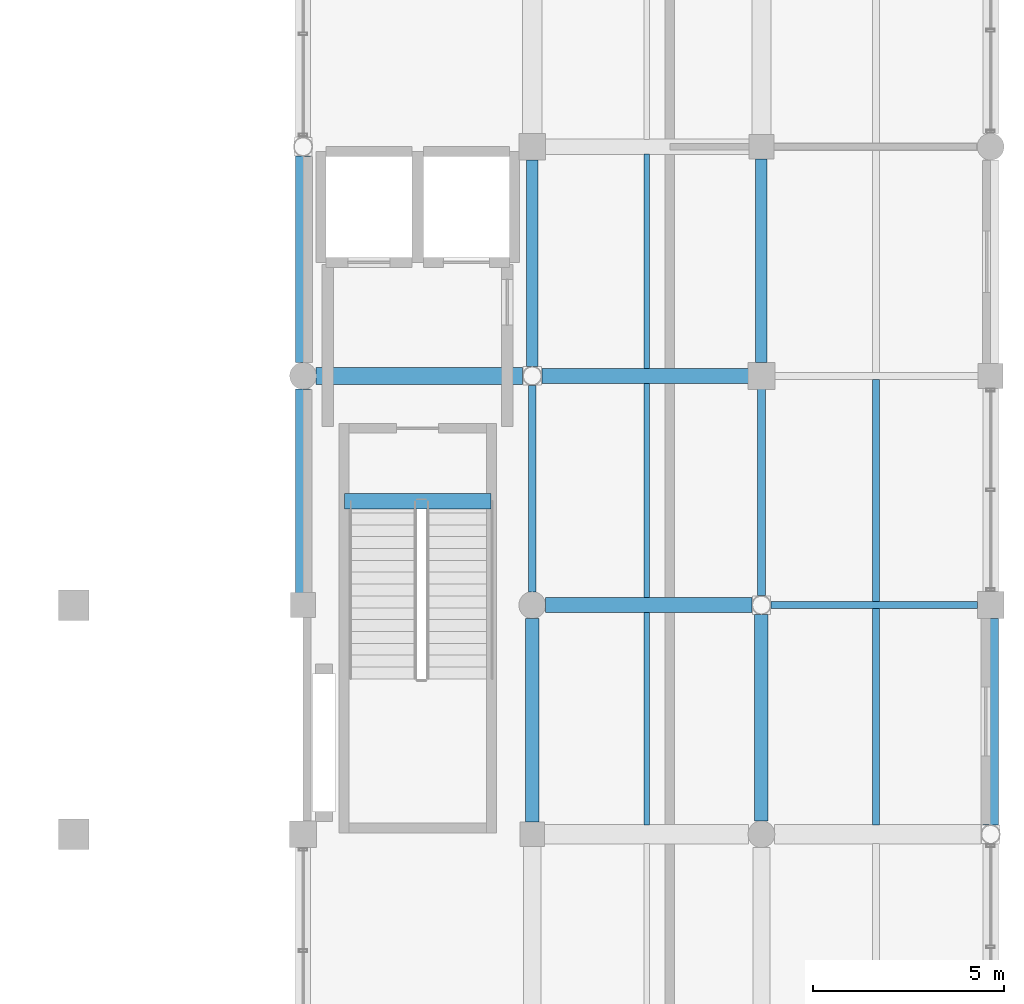
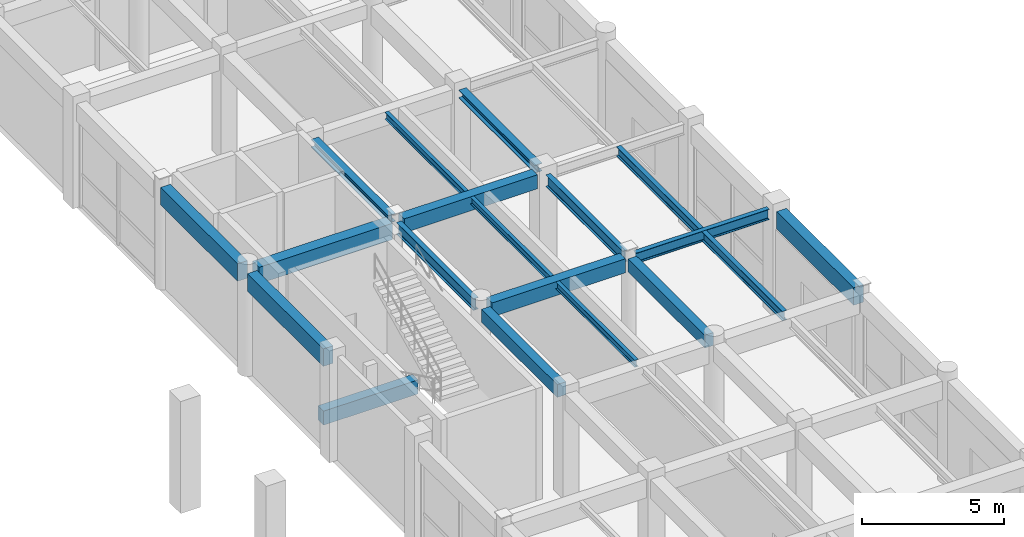
# One storey, part 75 of 123: 19 beams.
"""IFC4 building model written with IfcOpenShell, lengths in metres."""

from ifc_helpers import new_model, si_unit, direction, frame, origin, origin_2d, place, context, subcontext, project, spatial, rectangle, i_section, extrude, material, material_profile, profile_set, type_object, element, save


model = new_model("IFC4")

# Units and contexts
model_context = context("Model", 3, precision=1e-05, world=origin(), true_north=direction((0.0, 1.0)))
body_context = subcontext(model_context, "Body", "Model", "MODEL_VIEW")
ifc_project = project(units=[si_unit("LENGTHUNIT", "METRE"), si_unit("AREAUNIT", "SQUARE_METRE"), si_unit("VOLUMEUNIT", "CUBIC_METRE"), si_unit("PLANEANGLEUNIT", "RADIAN"), si_unit("MASSUNIT", "GRAM", prefix="KILO"), si_unit("THERMODYNAMICTEMPERATUREUNIT", "KELVIN"), si_unit("POWERUNIT", "WATT")], contexts=[model_context])

# Site, building, storey
site_placement = place(None, origin())
site = spatial("IfcSite", under=ifc_project, at=site_placement, CompositionType="ELEMENT")
building_placement = place(site_placement, origin())
building = spatial("IfcBuilding", under=site, at=building_placement, Name="Phaisarnlok Congress Hotel", CompositionType="ELEMENT")
storey_placement = place(building_placement, frame((0.0, 0.0, 15.0)))
storey = spatial("IfcBuildingStorey", under=building, at=storey_placement, Name="L03", CompositionType="ELEMENT", Elevation=15.0)

# Beams
ifc_material_1 = material(Name="Concrete C40/50", Category="concrete")
ifc_material_profile_1 = material_profile(ifc_material_1, rectangle(XDim=0.35009765625, YDim=0.550048828125, at=origin_2d()), Name="RC 350x550")
ifc_profile_set_1 = profile_set([ifc_material_profile_1], Name="Concrete C40/50")
beam_type_1 = type_object("IfcBeamType", Name="BM-RC-350x550", PredefinedType="BEAM", material=ifc_profile_set_1)
beam_1_placement = place(storey_placement, frame((168.0, 78.320068359375, 4.175048828125), z_axis=(0.0, 1.0, 0.0), x_axis=(-1.0, 0.0, 0.0)))
element("IfcBeam", 1, at=beam_1_placement, inside=storey, type_object=beam_type_1, Name="Beam B-01", PredefinedType="BEAM", context=body_context, shape_type="SweptSolid", body=[
    extrude(rectangle(XDim=0.35009765625, YDim=0.550048828125, at=origin_2d()), origin(), (0.0, 0.0, 1.0), 5.3349609375),
])
beam_2_placement = place(storey_placement, frame((174.0, 78.344970703125, 4.175048828125), z_axis=(0.0, 1.0, 0.0), x_axis=(-1.0, 0.0, 0.0)))
element("IfcBeam", 2, at=beam_2_placement, inside=storey, type_object=beam_type_1, Name="Beam B-01", PredefinedType="BEAM", context=body_context, shape_type="SweptSolid", body=[
    extrude(rectangle(XDim=0.35009765625, YDim=0.550048828125, at=origin_2d()), origin(), (0.0, 0.0, 1.0), 5.406005859375),
])
ifc_material_profile_2 = material_profile(ifc_material_1, rectangle(XDim=0.39990234375, YDim=0.60009765625, at=origin_2d()), Name="RC 400x600")
ifc_profile_set_2 = profile_set([ifc_material_profile_2], Name="Concrete C40/50")
beam_type_2 = type_object("IfcBeamType", Name="BM-RC-400x600", PredefinedType="BEAM", material=ifc_profile_set_2)
for number, where, z_axis, x_axis, name in (
    (3, (168.344970703125, 84.0, 4.14990234375), (1.0, 0.0, 0.0), (0.0, 1.0, 0.0), "Beam B-02"),
    (4, (168.2490234375, 90.0, 4.14990234375), (1.0, 0.0, 0.0), (0.0, 1.0, 0.0), "Beam B-02"),
):
    element("IfcBeam", number, at=place(storey_placement, frame(where, z_axis=z_axis, x_axis=x_axis)), inside=storey, type_object=beam_type_2, Name=name, PredefinedType="BEAM", context=body_context, shape_type="SweptSolid", body=[
        extrude(rectangle(XDim=0.39990234375, YDim=0.60009765625, at=origin_2d()), origin(), (0.0, 0.0, 1.0), 5.406005859375),
    ])
beam_3_placement = place(storey_placement, frame((163.080078125, 86.719970703125, -0.300048828125), z_axis=(1.0, 0.0, 0.0), x_axis=(0.0, 1.0, 0.0)))
element("IfcBeam", 5, at=beam_3_placement, inside=storey, type_object=beam_type_2, Name="Stair landing header beam B-02 (CORE-3 L03)", PredefinedType="BEAM", context=body_context, shape_type="SweptSolid", body=[
    extrude(rectangle(XDim=0.39990234375, YDim=0.60009765625, at=origin_2d()), origin(), (0.0, 0.0, 1.0), 3.83984375),
])
ifc_material_profile_3 = material_profile(ifc_material_1, rectangle(XDim=0.449951171875, YDim=0.699951171875, at=origin_2d()), Name="RC 450x700")
ifc_profile_set_3 = profile_set([ifc_material_profile_3], Name="Concrete C40/50")
beam_type_3 = type_object("IfcBeamType", Name="BM-RC-450x700", PredefinedType="BEAM", material=ifc_profile_set_3)
beam_4_placement = place(storey_placement, frame((162.344970703125, 90.0, 4.10009765625), z_axis=(1.0, 0.0, 0.0), x_axis=(0.0, 1.0, 0.0)))
element("IfcBeam", 6, at=beam_4_placement, inside=storey, type_object=beam_type_3, Name="Beam B-03", PredefinedType="BEAM", context=body_context, shape_type="SweptSolid", body=[
    extrude(rectangle(XDim=0.449951171875, YDim=0.699951171875, at=origin_2d()), origin(), (0.0, 0.0, 1.0), 5.406005859375),
])
ifc_material_2 = material(Name="Steel S355", Category="steel")
ifc_material_profile_4 = material_profile(ifc_material_2, i_section(OverallWidth=0.300048828125, OverallDepth=0.340087890625, WebThickness=0.011962890625, FlangeThickness=0.021484375, FilletRadius=0.027099609375, at=origin_2d()), Name="HEB 340")
ifc_profile_set_4 = profile_set([ifc_material_profile_4], Name="Steel S355")
beam_type_4 = type_object("IfcBeamType", Name="BM-STL-HEB340", PredefinedType="BEAM", material=ifc_profile_set_4)
beam_5_placement = place(storey_placement, frame((168.0, 90.2490234375, 4.280029296875), z_axis=(0.0, 1.0, 0.0), x_axis=(-1.0, 0.0, 0.0)))
element("IfcBeam", 7, at=beam_5_placement, inside=storey, type_object=beam_type_4, Name="Beam SB-07", PredefinedType="BEAM", context=body_context, shape_type="SweptSolid", body=[
    extrude(i_section(OverallWidth=0.300048828125, OverallDepth=0.340087890625, WebThickness=0.011962890625, FlangeThickness=0.021484375, FilletRadius=0.027099609375, at=origin_2d()), origin(), (0.0, 0.0, 1.0), 5.406005859375),
])
beam_6_placement = place(storey_placement, frame((174.0, 90.344970703125, 4.280029296875), z_axis=(0.0, 1.0, 0.0), x_axis=(-1.0, 0.0, 0.0)))
element("IfcBeam", 8, at=beam_6_placement, inside=storey, type_object=beam_type_4, Name="Beam SB-07", PredefinedType="BEAM", context=body_context, shape_type="SweptSolid", body=[
    extrude(i_section(OverallWidth=0.300048828125, OverallDepth=0.340087890625, WebThickness=0.011962890625, FlangeThickness=0.021484375, FilletRadius=0.027099609375, at=origin_2d()), origin(), (0.0, 0.0, 1.0), 5.3349609375),
])
ifc_material_profile_5 = material_profile(ifc_material_2, i_section(OverallWidth=0.18994140625, OverallDepth=0.449951171875, WebThickness=0.009521484375, FlangeThickness=0.0146484375, FilletRadius=0.02099609375, at=origin_2d()), Name="IPE 450")
ifc_profile_set_5 = profile_set([ifc_material_profile_5], Name="Steel S355")
beam_type_5 = type_object("IfcBeamType", Name="BM-STL-IPE450", PredefinedType="BEAM", material=ifc_profile_set_5)
beam_7_placement = place(storey_placement, frame((174.2490234375, 84.0, 4.22509765625), z_axis=(1.0, 0.0, 0.0), x_axis=(0.0, 1.0, 0.0)))
element("IfcBeam", 9, at=beam_7_placement, inside=storey, type_object=beam_type_5, Name="Beam SB-01", PredefinedType="BEAM", context=body_context, shape_type="SweptSolid", body=[
    extrude(i_section(OverallWidth=0.18994140625, OverallDepth=0.449951171875, WebThickness=0.009521484375, FlangeThickness=0.0146484375, FilletRadius=0.02099609375, at=origin_2d()), origin(), (0.0, 0.0, 1.0), 5.406005859375),
])
ifc_material_profile_6 = material_profile(ifc_material_2, i_section(OverallWidth=0.199951171875, OverallDepth=0.5, WebThickness=0.01025390625, FlangeThickness=0.01611328125, FilletRadius=0.02099609375, at=origin_2d()), Name="IPE 500")
ifc_profile_set_6 = profile_set([ifc_material_profile_6], Name="Steel S355")
beam_type_6 = type_object("IfcBeamType", Name="BM-STL-IPE500", PredefinedType="BEAM", material=ifc_profile_set_6)
for number, where, z_axis, x_axis, name in (
    (10, (168.0, 84.344970703125, 4.199951171875), (0.0, 1.0, 0.0), (-1.0, 0.0, 0.0), "Beam SB-02"),
    (11, (174.0, 84.2490234375, 4.199951171875), (0.0, 1.0, 0.0), (-1.0, 0.0, 0.0), "Beam SB-02"),
):
    element("IfcBeam", number, at=place(storey_placement, frame(where, z_axis=z_axis, x_axis=x_axis)), inside=storey, type_object=beam_type_6, Name=name, PredefinedType="BEAM", context=body_context, shape_type="SweptSolid", body=[
        extrude(i_section(OverallWidth=0.199951171875, OverallDepth=0.5, WebThickness=0.01025390625, FlangeThickness=0.01611328125, FilletRadius=0.02099609375, at=origin_2d()), origin(), (0.0, 0.0, 1.0), 5.406005859375),
    ])
ifc_material_profile_7 = material_profile(ifc_material_2, i_section(OverallWidth=0.14990234375, OverallDepth=0.300048828125, WebThickness=0.007080078125, FlangeThickness=0.0107421875, FilletRadius=0.014892578125, at=origin_2d()), Name="IPE 300")
ifc_profile_set_7 = profile_set([ifc_material_profile_7], Name="Steel S355")
beam_type_7 = type_object("IfcBeamType", Name="JS-STL-IPE300", PredefinedType="JOIST", material=ifc_profile_set_7)
beam_8_placement = place(storey_placement, frame((171.0, 78.2451171875, 4.300048828125), z_axis=(0.0, 1.0, 0.0), x_axis=(-1.0, 0.0, 0.0)))
element("IfcBeam", 12, at=beam_8_placement, inside=storey, type_object=beam_type_7, Name="Secondary floor joist J-03", PredefinedType="JOIST", context=body_context, shape_type="SweptSolid", body=[
    extrude(i_section(OverallWidth=0.14990234375, OverallDepth=0.300048828125, WebThickness=0.007080078125, FlangeThickness=0.0107421875, FilletRadius=0.014892578125, at=origin_2d()), origin(), (0.0, 0.0, 1.0), 5.559814453125),
])
for number, where, z_axis, x_axis, name in (
    (13, (171.0, 84.195068359375, 4.300048828125), (0.0, 1.0, 0.0), (-1.0, 0.0, 0.0), "Secondary floor joist J-03"),
    (14, (171.0, 90.195068359375, 4.300048828125), (0.0, 1.0, 0.0), (-1.0, 0.0, 0.0), "Secondary floor joist J-03"),
):
    element("IfcBeam", number, at=place(storey_placement, frame(where, z_axis=z_axis, x_axis=x_axis)), inside=storey, type_object=beam_type_7, Name=name, PredefinedType="JOIST", context=body_context, shape_type="SweptSolid", body=[
        extrude(i_section(OverallWidth=0.14990234375, OverallDepth=0.300048828125, WebThickness=0.007080078125, FlangeThickness=0.0107421875, FilletRadius=0.014892578125, at=origin_2d()), origin(), (0.0, 0.0, 1.0), 5.60986328125),
    ])
ifc_material_profile_8 = material_profile(ifc_material_2, i_section(OverallWidth=0.179931640625, OverallDepth=0.39990234375, WebThickness=0.008544921875, FlangeThickness=0.013427734375, FilletRadius=0.02099609375, at=origin_2d()), Name="IPE 400")
ifc_profile_set_8 = profile_set([ifc_material_profile_8], Name="Steel S355")
beam_type_8 = type_object("IfcBeamType", Name="JS-STL-IPE400", PredefinedType="JOIST", material=ifc_profile_set_8)
beam_9_placement = place(storey_placement, frame((177.0, 78.2451171875, 4.25), z_axis=(0.0, 1.0, 0.0), x_axis=(-1.0, 0.0, 0.0)))
element("IfcBeam", 15, at=beam_9_placement, inside=storey, type_object=beam_type_8, Name="Secondary floor joist J-05", PredefinedType="JOIST", context=body_context, shape_type="SweptSolid", body=[
    extrude(i_section(OverallWidth=0.179931640625, OverallDepth=0.39990234375, WebThickness=0.008544921875, FlangeThickness=0.013427734375, FilletRadius=0.02099609375, at=origin_2d()), origin(), (0.0, 0.0, 1.0), 5.664794921875),
])
beam_10_placement = place(storey_placement, frame((177.0, 84.090087890625, 4.25), z_axis=(0.0, 1.0, 0.0), x_axis=(-1.0, 0.0, 0.0)))
element("IfcBeam", 16, at=beam_10_placement, inside=storey, type_object=beam_type_8, Name="Secondary floor joist J-05", PredefinedType="JOIST", context=body_context, shape_type="SweptSolid", body=[
    extrude(i_section(OverallWidth=0.179931640625, OverallDepth=0.39990234375, WebThickness=0.008544921875, FlangeThickness=0.013427734375, FilletRadius=0.02099609375, at=origin_2d()), origin(), (0.0, 0.0, 1.0), 5.81982421875),
])
ifc_material_profile_9 = material_profile(ifc_material_1, rectangle(XDim=0.39990234375, YDim=0.75, at=origin_2d()), Name="RC 400x750")
ifc_profile_set_9 = profile_set([ifc_material_profile_9], Name="Concrete C40/50")
beam_type_9 = type_object("IfcBeamType", Name="SP-RC-400x750", PredefinedType="SPANDREL", material=ifc_profile_set_9)
beam_11_placement = place(storey_placement, frame((162.0, 84.320068359375, 4.074951171875), z_axis=(0.0, 1.0, 0.0), x_axis=(-1.0, 0.0, 0.0)))
element("IfcBeam", 17, at=beam_11_placement, inside=storey, type_object=beam_type_9, Name="Beam SP-02", PredefinedType="SPANDREL", context=body_context, shape_type="SweptSolid", body=[
    extrude(rectangle(XDim=0.39990234375, YDim=0.75, at=origin_2d()), origin(), (0.0, 0.0, 1.0), 5.3349609375),
])
for number, where, z_axis, x_axis, name in (
    (18, (162.0, 90.344970703125, 4.074951171875), (0.0, 1.0, 0.0), (-1.0, 0.0, 0.0), "Beam SP-02"),
    (19, (180.0, 78.2490234375, 4.074951171875), (0.0, 1.0, 0.0), (-1.0, 0.0, 0.0), "Beam SP-02"),
):
    element("IfcBeam", number, at=place(storey_placement, frame(where, z_axis=z_axis, x_axis=x_axis)), inside=storey, type_object=beam_type_9, Name=name, PredefinedType="SPANDREL", context=body_context, shape_type="SweptSolid", body=[
        extrude(rectangle(XDim=0.39990234375, YDim=0.75, at=origin_2d()), origin(), (0.0, 0.0, 1.0), 5.406005859375),
    ])

save(model, "model.ifc")
